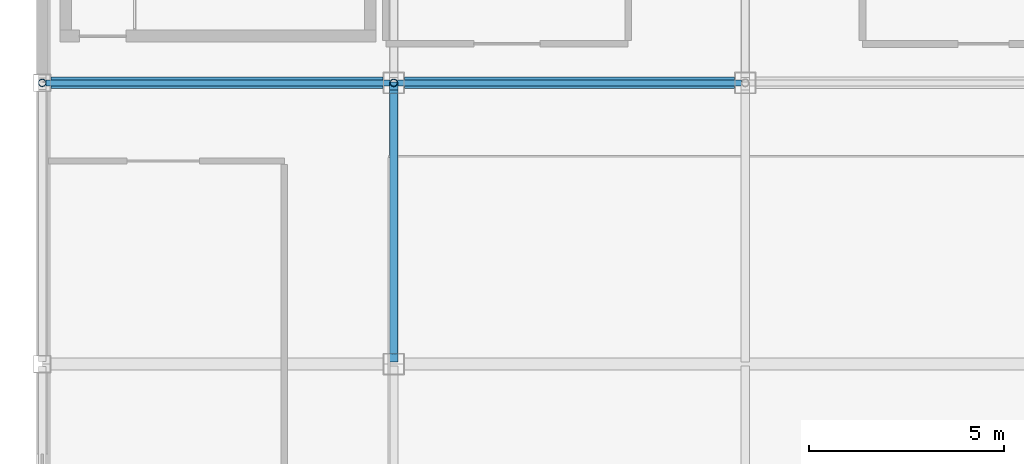
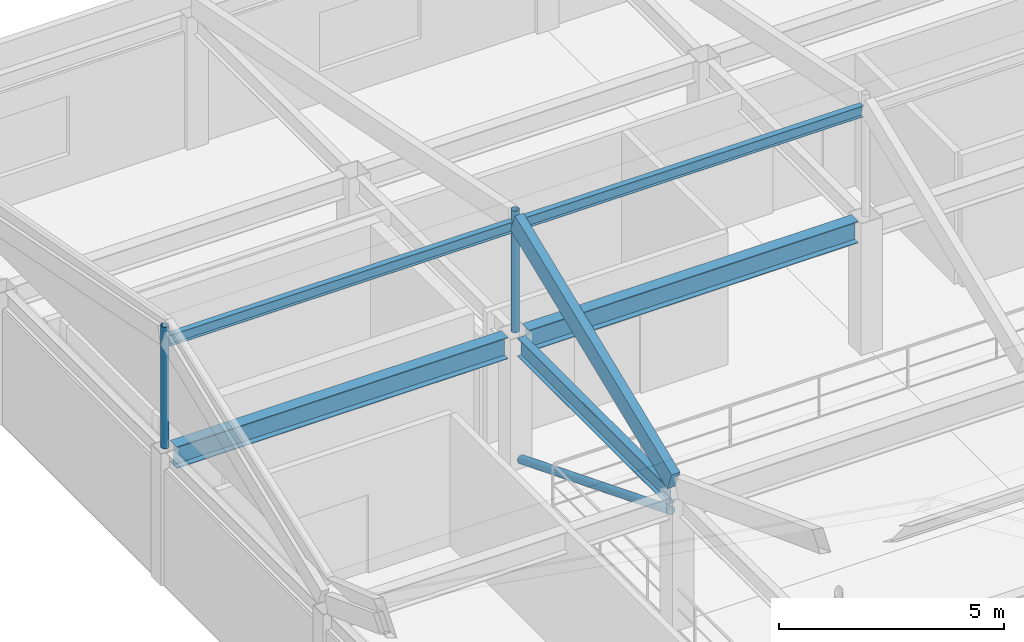
# One storey, part 17 of 113: 5 beams, 4 members.
"""IFC4 building model written with IfcOpenShell, lengths in metres."""

from ifc_helpers import new_model, si_unit, direction, frame, origin, origin_2d, place, context, subcontext, project, spatial, rectangle, hollow_circle, i_section, extrude, material, material_profile, profile_set, type_object, element, save


model = new_model("IFC4")

# Units and contexts
model_context = context("Model", 3, precision=1e-05, world=origin(), true_north=direction((0.0, 1.0)))
body_context = subcontext(model_context, "Body", "Model", "MODEL_VIEW")
ifc_project = project(units=[si_unit("LENGTHUNIT", "METRE"), si_unit("AREAUNIT", "SQUARE_METRE"), si_unit("VOLUMEUNIT", "CUBIC_METRE"), si_unit("PLANEANGLEUNIT", "RADIAN"), si_unit("MASSUNIT", "GRAM", prefix="KILO")], contexts=[model_context])

# Site, building, storey
site_placement = place(None, origin())
site = spatial("IfcSite", under=ifc_project, at=site_placement, CompositionType="ELEMENT")
building_placement = place(site_placement, origin())
building = spatial("IfcBuilding", under=site, at=building_placement, Name="Kazanami Central Library", CompositionType="ELEMENT")
storey_placement = place(building_placement, frame((0.0, 0.0, 8.800048828125)))
storey = spatial("IfcBuildingStorey", under=building, at=storey_placement, Name="L03", CompositionType="ELEMENT", Elevation=8.800048828125)

# Beams
ifc_material_1 = material(Name="Steel SN490B (325 MPa)", Category="steel")
ifc_material_profile_1 = material_profile(ifc_material_1, i_section(OverallWidth=0.14990234375, OverallDepth=0.300048828125, WebThickness=0.006591796875, FlangeThickness=0.009033203125, at=origin_2d()), Name="H-300x150x6.5x9")
ifc_profile_set_1 = profile_set([ifc_material_profile_1], Name="Steel SN490B (325 MPa)")
beam_type_1 = type_object("IfcBeamType", Name="BM-CAN-300", PredefinedType="SPANDREL", material=ifc_profile_set_1)
for number, where, z_axis, x_axis, name in (
    (1, (0.097900390625, 21.60009765625, 6.4599609375), (1.0, 0.0, 0.0), (0.0, 1.0, 0.0), "Folded Shell Ridge Girder FOLD-L03-V3-N Bay 1"),
    (2, (9.097900390625, 21.60009765625, 6.4599609375), (1.0, 0.0, 0.0), (0.0, 1.0, 0.0), "Folded Shell Ridge Girder FOLD-L03-V3-N Bay 2"),
):
    element("IfcBeam", number, at=place(storey_placement, frame(where, z_axis=z_axis, x_axis=x_axis)), inside=storey, type_object=beam_type_1, Name=name, PredefinedType="BEAM", context=body_context, shape_type="SweptSolid", body=[
        extrude(i_section(OverallWidth=0.14990234375, OverallDepth=0.300048828125, WebThickness=0.006591796875, FlangeThickness=0.009033203125, at=origin_2d()), origin(), (0.0, 0.0, 1.0), 8.80419921875),
    ])
ifc_material_profile_2 = material_profile(ifc_material_1, i_section(OverallWidth=0.300048828125, OverallDepth=0.587890625, WebThickness=0.011962890625, FlangeThickness=0.02001953125, at=origin_2d()), Name="H-588x300x12x20")
ifc_profile_set_2 = profile_set([ifc_material_profile_2], Name="Steel SN490B (325 MPa)")
beam_type_2 = type_object("IfcBeamType", Name="BM-G-X2", PredefinedType="BEAM", material=ifc_profile_set_2)
beam_1_placement = place(storey_placement, frame((0.222900390625, 21.60009765625, 3.285888671875), z_axis=(1.0, 0.0, 0.0), x_axis=(0.0, 1.0, 0.0)))
element("IfcBeam", 3, at=beam_1_placement, inside=storey, type_object=beam_type_2, Name="Girder G-X2 L03 D/1-2", PredefinedType="BEAM", context=body_context, shape_type="SweptSolid", body=[
    extrude(i_section(OverallWidth=0.300048828125, OverallDepth=0.587890625, WebThickness=0.011962890625, FlangeThickness=0.02001953125, at=origin_2d()), origin(), (0.0, 0.0, 1.0), 8.504150390625),
])
beam_2_placement = place(storey_placement, frame((9.27294921875, 21.60009765625, 3.285888671875), z_axis=(1.0, 0.0, 0.0), x_axis=(0.0, 1.0, 0.0)))
element("IfcBeam", 4, at=beam_2_placement, inside=storey, type_object=beam_type_2, Name="Girder G-X2 L03 D/2-3", PredefinedType="BEAM", context=body_context, shape_type="SweptSolid", body=[
    extrude(i_section(OverallWidth=0.300048828125, OverallDepth=0.587890625, WebThickness=0.011962890625, FlangeThickness=0.02001953125, at=origin_2d()), origin(), (0.0, 0.0, 1.0), 8.4541015625),
])
ifc_material_profile_3 = material_profile(ifc_material_1, i_section(OverallWidth=0.199951171875, OverallDepth=0.5, WebThickness=0.010009765625, FlangeThickness=0.01611328125, at=origin_2d()), Name="H-500x200x10x16")
ifc_profile_set_3 = profile_set([ifc_material_profile_3], Name="Steel SN490B (325 MPa)")
beam_type_3 = type_object("IfcBeamType", Name="BM-G-Y2", PredefinedType="BEAM", material=ifc_profile_set_3)
beam_3_placement = place(storey_placement, frame((9.0, 14.673095703125, 3.329833984375), z_axis=(0.0, 1.0, 0.0), x_axis=(-1.0, 0.0, 0.0)))
element("IfcBeam", 5, at=beam_3_placement, inside=storey, type_object=beam_type_3, Name="Girder G-Y2 L03 2/C-D", PredefinedType="BEAM", context=body_context, shape_type="SweptSolid", body=[
    extrude(i_section(OverallWidth=0.199951171875, OverallDepth=0.5, WebThickness=0.010009765625, FlangeThickness=0.01611328125, at=origin_2d()), origin(), (0.0, 0.0, 1.0), 6.65380859375),
])

# Members
ifc_material_2 = material(Name="Steel STK490 (315 MPa)", Category="steel")
ifc_material_profile_4 = material_profile(ifc_material_2, hollow_circle(Radius=0.108154296875, WallThickness=0.00830078125, at=origin_2d()), Name="CHS-216.3x8.2")
ifc_profile_set_4 = profile_set([ifc_material_profile_4], Name="Steel STK490 (315 MPa)")
member_type_1 = type_object("IfcMemberType", Name="MEM-BR-04", PredefinedType="BRACE", material=ifc_profile_set_4)
member_1_placement = place(storey_placement, frame((9.0, 21.324951171875, 0.25), z_axis=(0.0, -0.928960431323, 0.370179033761), x_axis=(1.0, 0.0, 0.0)))
element("IfcMember", 6, at=member_1_placement, inside=storey, type_object=member_type_1, Name="Concentric Steel Brace BR-04 L03 BF-V3A", PredefinedType="BRACE", context=body_context, shape_type="SweptSolid", body=[
    extrude(hollow_circle(Radius=0.108154296875, WallThickness=0.00830078125, at=origin_2d()), origin(), (0.0, 0.0, 1.0), 7.158447265625),
])
ifc_material_3 = material(Name="Glulam GL28h (28 MPa)", Category="wood")
ifc_material_profile_5 = material_profile(ifc_material_3, rectangle(XDim=0.219970703125, YDim=0.5400390625, at=origin_2d()), Name="GL28h-220x540")
ifc_profile_set_5 = profile_set([ifc_material_profile_5], Name="Glulam GL28h (28 MPa)")
member_type_2 = type_object("IfcMemberType", Name="MEM-GL-01", PredefinedType="RAFTER", material=ifc_profile_set_5)
member_2_placement = place(storey_placement, frame((9.0, 14.550048828125, 3.780029296875), z_axis=(0.0, 0.927471818786, 0.373893066742), x_axis=(-1.0, 0.0, 0.0)))
element("IfcMember", 7, at=member_2_placement, inside=storey, type_object=member_type_2, Name="Glulam Timber Shell Rafter GL-01 FOLD-L03-V3-N Grid 2 South", PredefinedType="RAFTER", context=body_context, shape_type="SweptSolid", body=[
    extrude(rectangle(XDim=0.219970703125, YDim=0.5400390625, at=origin_2d()), origin(), (0.0, 0.0, 1.0), 7.51513671875),
])
ifc_material_profile_6 = material_profile(ifc_material_2, hollow_circle(Radius=0.095458984375, WallThickness=0.007080078125, at=origin_2d()), Name="CHS-190.7x7.0")
ifc_profile_set_6 = profile_set([ifc_material_profile_6], Name="Steel STK490 (315 MPa)")
member_type_3 = type_object("IfcMemberType", Name="MEM-VST-190", PredefinedType="STRUT", material=ifc_profile_set_6)
for number, where, z_axis, x_axis, name in (
    (8, (0.0, 21.60009765625, 3.579833984375), (0.0, 0.0, 1.0), (1.0, 0.0, 0.0), "Folded Shell Ridge Strut Post FOLD-L03-V3-N Grid 1"),
    (9, (9.0, 21.60009765625, 3.579833984375), (0.0, 0.0, 1.0), (1.0, 0.0, 0.0), "Folded Shell Ridge Strut Post FOLD-L03-V3-N Grid 2"),
):
    element("IfcMember", number, at=place(storey_placement, frame(where, z_axis=z_axis, x_axis=x_axis)), inside=storey, type_object=member_type_3, Name=name, PredefinedType="POST", context=body_context, shape_type="SweptSolid", body=[
        extrude(hollow_circle(Radius=0.095458984375, WallThickness=0.007080078125, at=origin_2d()), origin(), (0.0, 0.0, 1.0), 3.304443359375),
    ])

save(model, "model.ifc")
